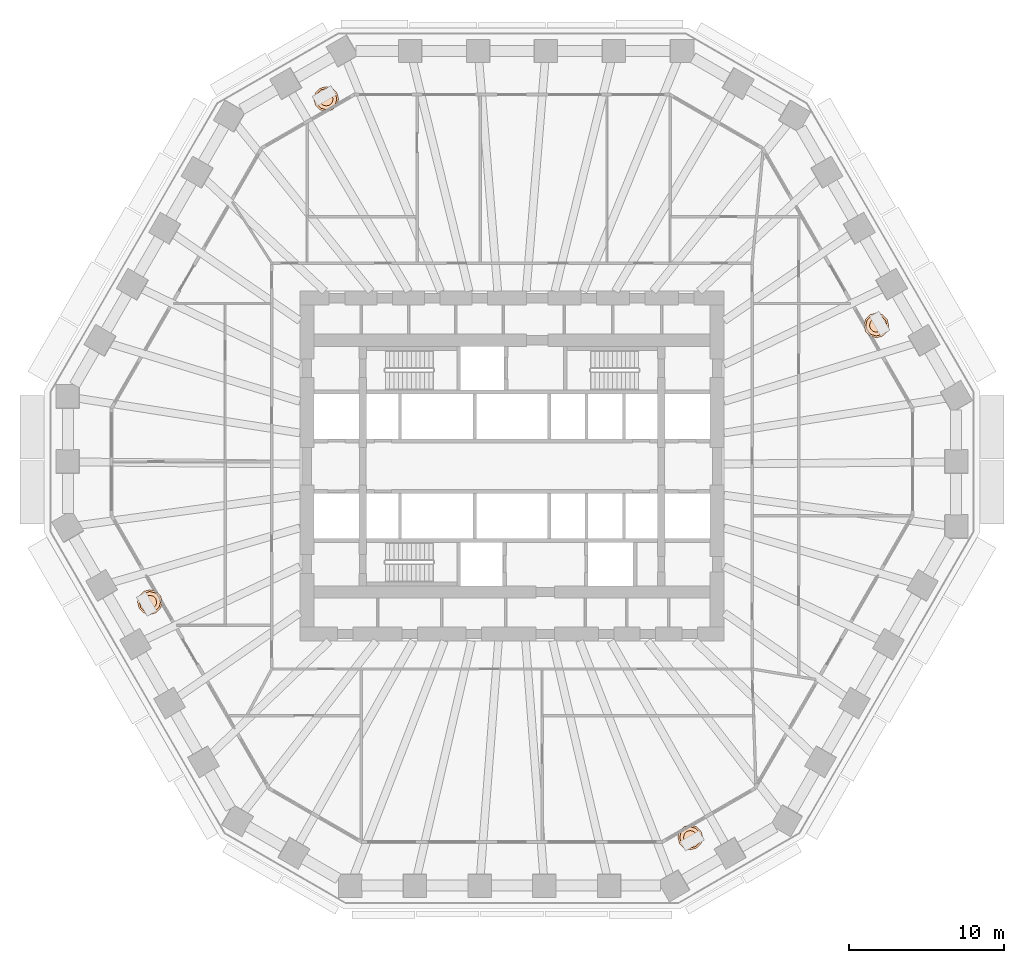
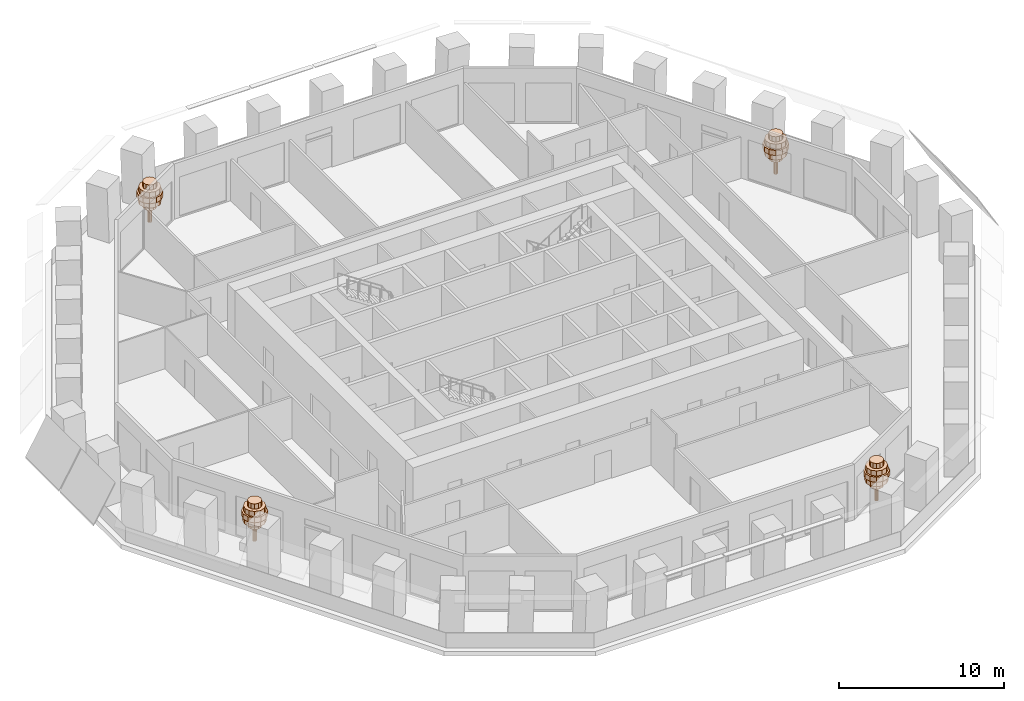
# One storey, part 13 of 13: 4 geographic elements.
"""IFC4 building model written with IfcOpenShell, lengths in metres."""

from ifc_helpers import new_model, si_unit, direction, frame, origin, place, context, subcontext, project, spatial, polyline, outline, extrude, material, type_object, element, save


model = new_model("IFC4")

# Units and contexts
model_context = context("Model", 3, precision=1e-05, world=origin(), true_north=direction((0.0, 1.0)))
body_context = subcontext(model_context, "Body", "Model", "MODEL_VIEW")
ifc_project = project(units=[si_unit("LENGTHUNIT", "METRE"), si_unit("AREAUNIT", "SQUARE_METRE"), si_unit("VOLUMEUNIT", "CUBIC_METRE"), si_unit("PLANEANGLEUNIT", "RADIAN"), si_unit("MASSUNIT", "GRAM", prefix="KILO")], contexts=[model_context])

# Site, building, storey
site_placement = place(None, origin())
site = spatial("IfcSite", under=ifc_project, at=site_placement, CompositionType="ELEMENT")
building_placement = place(site_placement, origin())
building = spatial("IfcBuilding", under=site, at=building_placement, Name="Frailejon Research Tower", CompositionType="ELEMENT")
storey_placement = place(building_placement, frame((0.0, 0.0, 23.39990234375)))
storey = spatial("IfcBuildingStorey", under=building, at=storey_placement, Name="L05", CompositionType="ELEMENT", Elevation=23.39990234375)

# Geographic elements
ifc_material = material(Name="Foliage, green")
geographic_element_type = type_object("IfcGeographicElementType", Name="Frailejon tree, loggia", PredefinedType="USERDEFINED", material=ifc_material)
geographic_element_1_placement = place(storey_placement, frame((23.439697265625, 9.05419921875, 0.60009765625)))
element("IfcGeographicElement", 1, at=geographic_element_1_placement, inside=storey, type_object=geographic_element_type, Name="Tree L05", ObjectType="TREE", PredefinedType="USERDEFINED", context=body_context, shape_type="SweptSolid", body=[
    extrude(outline(polyline([(0.1298828125, 0.0), (0.112548828125, 0.06494140625), (0.06494140625, 0.112548828125), (0.0, 0.1298828125), (-0.06494140625, 0.112548828125), (-0.112548828125, 0.06494140625), (-0.1298828125, 0.0), (-0.112548828125, -0.06494140625), (-0.06494140625, -0.112548828125), (0.0, -0.1298828125), (0.06494140625, -0.112548828125), (0.112548828125, -0.06494140625), (0.1298828125, 0.0)])), origin(), (0.0, 0.0, 1.0), 2.239990234375),
    extrude(outline(polyline([(0.43994140625, 0.0), (0.381103515625, 0.219970703125), (0.219970703125, 0.381103515625), (0.0, 0.43994140625), (-0.219970703125, 0.381103515625), (-0.381103515625, 0.219970703125), (-0.43994140625, 0.0), (-0.381103515625, -0.219970703125), (-0.219970703125, -0.381103515625), (0.0, -0.43994140625), (0.219970703125, -0.381103515625), (0.381103515625, -0.219970703125), (0.43994140625, 0.0)])), frame((0.0, 0.0, 1.10009765625)), (0.0, 0.0, 1.0), 0.3798828125),
    extrude(outline(polyline([(0.719970703125, 0.0), (0.62353515625, 0.360107421875), (0.360107421875, 0.62353515625), (0.0, 0.719970703125), (-0.360107421875, 0.62353515625), (-0.62353515625, 0.360107421875), (-0.719970703125, 0.0), (-0.62353515625, -0.360107421875), (-0.360107421875, -0.62353515625), (0.0, -0.719970703125), (0.360107421875, -0.62353515625), (0.62353515625, -0.360107421875), (0.719970703125, 0.0)])), frame((0.0, 0.0, 1.47998046875)), (0.0, 0.0, 1.0), 0.3798828125),
    extrude(outline(polyline([(0.800048828125, 0.0), (0.69287109375, 0.39990234375), (0.39990234375, 0.69287109375), (0.0, 0.800048828125), (-0.39990234375, 0.69287109375), (-0.69287109375, 0.39990234375), (-0.800048828125, 0.0), (-0.69287109375, -0.39990234375), (-0.39990234375, -0.69287109375), (0.0, -0.800048828125), (0.39990234375, -0.69287109375), (0.69287109375, -0.39990234375), (0.800048828125, 0.0)])), frame((0.0, 0.0, 1.860107421875)), (0.0, 0.0, 1.0), 0.3798828125),
    extrude(outline(polyline([(0.679931640625, 0.0), (0.5888671875, 0.340087890625), (0.340087890625, 0.5888671875), (0.0, 0.679931640625), (-0.340087890625, 0.5888671875), (-0.5888671875, 0.340087890625), (-0.679931640625, 0.0), (-0.5888671875, -0.340087890625), (-0.340087890625, -0.5888671875), (0.0, -0.679931640625), (0.340087890625, -0.5888671875), (0.5888671875, -0.340087890625), (0.679931640625, 0.0)])), frame((0.0, 0.0, 2.239990234375)), (0.0, 0.0, 1.0), 0.3798828125),
    extrude(outline(polyline([(0.43994140625, 0.0), (0.381103515625, 0.219970703125), (0.219970703125, 0.381103515625), (0.0, 0.43994140625), (-0.219970703125, 0.381103515625), (-0.381103515625, 0.219970703125), (-0.43994140625, 0.0), (-0.381103515625, -0.219970703125), (-0.219970703125, -0.381103515625), (0.0, -0.43994140625), (0.219970703125, -0.381103515625), (0.381103515625, -0.219970703125), (0.43994140625, 0.0)])), frame((0.0, 0.0, 2.6201171875)), (0.0, 0.0, 1.0), 0.3798828125),
])
geographic_element_2_placement = place(storey_placement, frame((-11.95068359375, 23.6103515625, 0.60009765625)))
element("IfcGeographicElement", 2, at=geographic_element_2_placement, inside=storey, type_object=geographic_element_type, Name="Tree L05", ObjectType="TREE", PredefinedType="USERDEFINED", context=body_context, shape_type="SweptSolid", body=[
    extrude(outline(polyline([(0.1298828125, 0.0), (0.112548828125, 0.06494140625), (0.06494140625, 0.112548828125), (0.0, 0.1298828125), (-0.06494140625, 0.112548828125), (-0.112548828125, 0.06494140625), (-0.1298828125, 0.0), (-0.112548828125, -0.06494140625), (-0.06494140625, -0.112548828125), (0.0, -0.1298828125), (0.06494140625, -0.112548828125), (0.112548828125, -0.06494140625), (0.1298828125, 0.0)])), origin(), (0.0, 0.0, 1.0), 2.239990234375),
    extrude(outline(polyline([(0.43994140625, 0.0), (0.381103515625, 0.219970703125), (0.219970703125, 0.381103515625), (0.0, 0.43994140625), (-0.219970703125, 0.381103515625), (-0.381103515625, 0.219970703125), (-0.43994140625, 0.0), (-0.381103515625, -0.219970703125), (-0.219970703125, -0.381103515625), (0.0, -0.43994140625), (0.219970703125, -0.381103515625), (0.381103515625, -0.219970703125), (0.43994140625, 0.0)])), frame((0.0, 0.0, 1.10009765625)), (0.0, 0.0, 1.0), 0.3798828125),
    extrude(outline(polyline([(0.719970703125, 0.0), (0.62353515625, 0.360107421875), (0.360107421875, 0.62353515625), (0.0, 0.719970703125), (-0.360107421875, 0.62353515625), (-0.62353515625, 0.360107421875), (-0.719970703125, 0.0), (-0.62353515625, -0.360107421875), (-0.360107421875, -0.62353515625), (0.0, -0.719970703125), (0.360107421875, -0.62353515625), (0.62353515625, -0.360107421875), (0.719970703125, 0.0)])), frame((0.0, 0.0, 1.47998046875)), (0.0, 0.0, 1.0), 0.3798828125),
    extrude(outline(polyline([(0.800048828125, 0.0), (0.69287109375, 0.39990234375), (0.39990234375, 0.69287109375), (0.0, 0.800048828125), (-0.39990234375, 0.69287109375), (-0.69287109375, 0.39990234375), (-0.800048828125, 0.0), (-0.69287109375, -0.39990234375), (-0.39990234375, -0.69287109375), (0.0, -0.800048828125), (0.39990234375, -0.69287109375), (0.69287109375, -0.39990234375), (0.800048828125, 0.0)])), frame((0.0, 0.0, 1.860107421875)), (0.0, 0.0, 1.0), 0.3798828125),
    extrude(outline(polyline([(0.679931640625, 0.0), (0.5888671875, 0.340087890625), (0.340087890625, 0.5888671875), (0.0, 0.679931640625), (-0.340087890625, 0.5888671875), (-0.5888671875, 0.340087890625), (-0.679931640625, 0.0), (-0.5888671875, -0.340087890625), (-0.340087890625, -0.5888671875), (0.0, -0.679931640625), (0.340087890625, -0.5888671875), (0.5888671875, -0.340087890625), (0.679931640625, 0.0)])), frame((0.0, 0.0, 2.239990234375)), (0.0, 0.0, 1.0), 0.3798828125),
    extrude(outline(polyline([(0.43994140625, 0.0), (0.381103515625, 0.219970703125), (0.219970703125, 0.381103515625), (0.0, 0.43994140625), (-0.219970703125, 0.381103515625), (-0.381103515625, 0.219970703125), (-0.43994140625, 0.0), (-0.381103515625, -0.219970703125), (-0.219970703125, -0.381103515625), (0.0, -0.43994140625), (0.219970703125, -0.381103515625), (0.381103515625, -0.219970703125), (0.43994140625, 0.0)])), frame((0.0, 0.0, 2.6201171875)), (0.0, 0.0, 1.0), 0.3798828125),
])
geographic_element_3_placement = place(storey_placement, frame((-23.296142578125, -8.75, 0.60009765625)))
element("IfcGeographicElement", 3, at=geographic_element_3_placement, inside=storey, type_object=geographic_element_type, Name="Tree L05", ObjectType="TREE", PredefinedType="USERDEFINED", context=body_context, shape_type="SweptSolid", body=[
    extrude(outline(polyline([(0.1298828125, 0.0), (0.112548828125, 0.06494140625), (0.06494140625, 0.112548828125), (0.0, 0.1298828125), (-0.06494140625, 0.112548828125), (-0.112548828125, 0.06494140625), (-0.1298828125, 0.0), (-0.112548828125, -0.06494140625), (-0.06494140625, -0.112548828125), (0.0, -0.1298828125), (0.06494140625, -0.112548828125), (0.112548828125, -0.06494140625), (0.1298828125, 0.0)])), origin(), (0.0, 0.0, 1.0), 2.239990234375),
    extrude(outline(polyline([(0.43994140625, 0.0), (0.381103515625, 0.219970703125), (0.219970703125, 0.381103515625), (0.0, 0.43994140625), (-0.219970703125, 0.381103515625), (-0.381103515625, 0.219970703125), (-0.43994140625, 0.0), (-0.381103515625, -0.219970703125), (-0.219970703125, -0.381103515625), (0.0, -0.43994140625), (0.219970703125, -0.381103515625), (0.381103515625, -0.219970703125), (0.43994140625, 0.0)])), frame((0.0, 0.0, 1.10009765625)), (0.0, 0.0, 1.0), 0.3798828125),
    extrude(outline(polyline([(0.719970703125, 0.0), (0.62353515625, 0.360107421875), (0.360107421875, 0.62353515625), (0.0, 0.719970703125), (-0.360107421875, 0.62353515625), (-0.62353515625, 0.360107421875), (-0.719970703125, 0.0), (-0.62353515625, -0.360107421875), (-0.360107421875, -0.62353515625), (0.0, -0.719970703125), (0.360107421875, -0.62353515625), (0.62353515625, -0.360107421875), (0.719970703125, 0.0)])), frame((0.0, 0.0, 1.47998046875)), (0.0, 0.0, 1.0), 0.3798828125),
    extrude(outline(polyline([(0.800048828125, 0.0), (0.69287109375, 0.39990234375), (0.39990234375, 0.69287109375), (0.0, 0.800048828125), (-0.39990234375, 0.69287109375), (-0.69287109375, 0.39990234375), (-0.800048828125, 0.0), (-0.69287109375, -0.39990234375), (-0.39990234375, -0.69287109375), (0.0, -0.800048828125), (0.39990234375, -0.69287109375), (0.69287109375, -0.39990234375), (0.800048828125, 0.0)])), frame((0.0, 0.0, 1.860107421875)), (0.0, 0.0, 1.0), 0.3798828125),
    extrude(outline(polyline([(0.679931640625, 0.0), (0.5888671875, 0.340087890625), (0.340087890625, 0.5888671875), (0.0, 0.679931640625), (-0.340087890625, 0.5888671875), (-0.5888671875, 0.340087890625), (-0.679931640625, 0.0), (-0.5888671875, -0.340087890625), (-0.340087890625, -0.5888671875), (0.0, -0.679931640625), (0.340087890625, -0.5888671875), (0.5888671875, -0.340087890625), (0.679931640625, 0.0)])), frame((0.0, 0.0, 2.239990234375)), (0.0, 0.0, 1.0), 0.3798828125),
    extrude(outline(polyline([(0.43994140625, 0.0), (0.381103515625, 0.219970703125), (0.219970703125, 0.381103515625), (0.0, 0.43994140625), (-0.219970703125, 0.381103515625), (-0.381103515625, 0.219970703125), (-0.43994140625, 0.0), (-0.381103515625, -0.219970703125), (-0.219970703125, -0.381103515625), (0.0, -0.43994140625), (0.219970703125, -0.381103515625), (0.381103515625, -0.219970703125), (0.43994140625, 0.0)])), frame((0.0, 0.0, 2.6201171875)), (0.0, 0.0, 1.0), 0.3798828125),
])
geographic_element_4_placement = place(storey_placement, frame((11.4716796875, -23.88671875, 0.60009765625)))
element("IfcGeographicElement", 4, at=geographic_element_4_placement, inside=storey, type_object=geographic_element_type, Name="Tree L05", ObjectType="TREE", PredefinedType="USERDEFINED", context=body_context, shape_type="SweptSolid", body=[
    extrude(outline(polyline([(0.1298828125, 0.0), (0.112548828125, 0.06494140625), (0.06494140625, 0.112548828125), (0.0, 0.1298828125), (-0.06494140625, 0.112548828125), (-0.112548828125, 0.06494140625), (-0.1298828125, 0.0), (-0.112548828125, -0.06494140625), (-0.06494140625, -0.112548828125), (0.0, -0.1298828125), (0.06494140625, -0.112548828125), (0.112548828125, -0.06494140625), (0.1298828125, 0.0)])), origin(), (0.0, 0.0, 1.0), 2.239990234375),
    extrude(outline(polyline([(0.43994140625, 0.0), (0.381103515625, 0.219970703125), (0.219970703125, 0.381103515625), (0.0, 0.43994140625), (-0.219970703125, 0.381103515625), (-0.381103515625, 0.219970703125), (-0.43994140625, 0.0), (-0.381103515625, -0.219970703125), (-0.219970703125, -0.381103515625), (0.0, -0.43994140625), (0.219970703125, -0.381103515625), (0.381103515625, -0.219970703125), (0.43994140625, 0.0)])), frame((0.0, 0.0, 1.10009765625)), (0.0, 0.0, 1.0), 0.3798828125),
    extrude(outline(polyline([(0.719970703125, 0.0), (0.62353515625, 0.360107421875), (0.360107421875, 0.62353515625), (0.0, 0.719970703125), (-0.360107421875, 0.62353515625), (-0.62353515625, 0.360107421875), (-0.719970703125, 0.0), (-0.62353515625, -0.360107421875), (-0.360107421875, -0.62353515625), (0.0, -0.719970703125), (0.360107421875, -0.62353515625), (0.62353515625, -0.360107421875), (0.719970703125, 0.0)])), frame((0.0, 0.0, 1.47998046875)), (0.0, 0.0, 1.0), 0.3798828125),
    extrude(outline(polyline([(0.800048828125, 0.0), (0.69287109375, 0.39990234375), (0.39990234375, 0.69287109375), (0.0, 0.800048828125), (-0.39990234375, 0.69287109375), (-0.69287109375, 0.39990234375), (-0.800048828125, 0.0), (-0.69287109375, -0.39990234375), (-0.39990234375, -0.69287109375), (0.0, -0.800048828125), (0.39990234375, -0.69287109375), (0.69287109375, -0.39990234375), (0.800048828125, 0.0)])), frame((0.0, 0.0, 1.860107421875)), (0.0, 0.0, 1.0), 0.3798828125),
    extrude(outline(polyline([(0.679931640625, 0.0), (0.5888671875, 0.340087890625), (0.340087890625, 0.5888671875), (0.0, 0.679931640625), (-0.340087890625, 0.5888671875), (-0.5888671875, 0.340087890625), (-0.679931640625, 0.0), (-0.5888671875, -0.340087890625), (-0.340087890625, -0.5888671875), (0.0, -0.679931640625), (0.340087890625, -0.5888671875), (0.5888671875, -0.340087890625), (0.679931640625, 0.0)])), frame((0.0, 0.0, 2.239990234375)), (0.0, 0.0, 1.0), 0.3798828125),
    extrude(outline(polyline([(0.43994140625, 0.0), (0.381103515625, 0.219970703125), (0.219970703125, 0.381103515625), (0.0, 0.43994140625), (-0.219970703125, 0.381103515625), (-0.381103515625, 0.219970703125), (-0.43994140625, 0.0), (-0.381103515625, -0.219970703125), (-0.219970703125, -0.381103515625), (0.0, -0.43994140625), (0.219970703125, -0.381103515625), (0.381103515625, -0.219970703125), (0.43994140625, 0.0)])), frame((0.0, 0.0, 2.6201171875)), (0.0, 0.0, 1.0), 0.3798828125),
])

save(model, "model.ifc")
